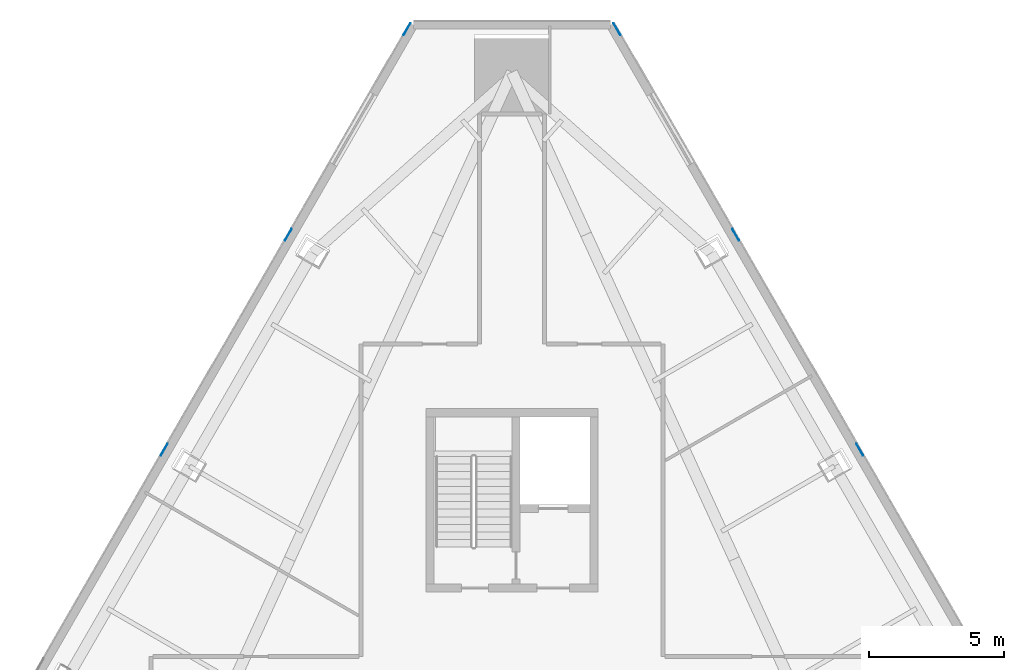
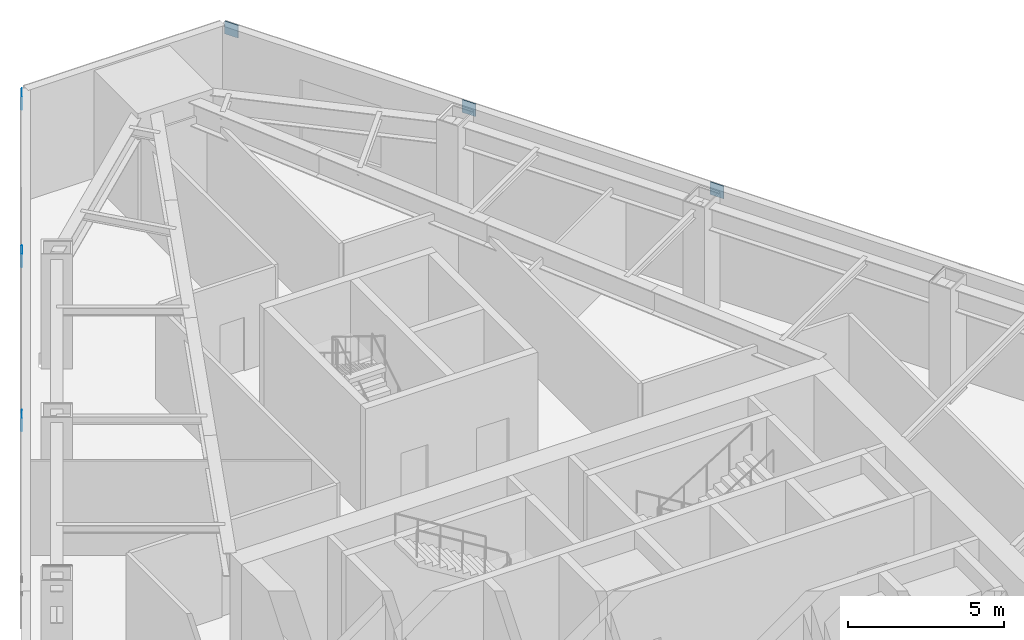
# One storey, part 12 of 14: 6 discrete accessories.
"""IFC4 building model written with IfcOpenShell, lengths in metres."""

import ifcopenshell
import ifcopenshell.guid

model = None  # the IFC model being written
_history = None  # IfcOwnerHistory: only IFC2X3 demands one
_inside = {}  # id of a spatial element -> (the spatial element, [elements in it])
_under = {}  # id of a project, library or spatial element -> (it, [spatial elements below it])
_declared = {}  # id of a project -> (the project, [libraries it declares])
_typed = {}  # id of a type object -> (the type object, [elements of that type])
_made_of = {}  # id of a material, layer set ... -> (it, [elements and type objects made of it])


def new_model(schema):
    """Start an empty IFC model of exactly this schema.

    Asked for "IFC4X3", IfcOpenShell would pick the latest addendum, in which some entities
    have other attributes; the version numbers below select the first issue.
    IFC2X3 requires an IfcOwnerHistory on every rooted entity: one is made here for all.
    """
    global model, _history
    if schema == "IFC4X3":
        model = ifcopenshell.file(schema_version=(4, 3, 0, 0))
    else:
        model = ifcopenshell.file(schema=schema)
    _inside.clear()
    _under.clear()
    _declared.clear()
    _typed.clear()
    _made_of.clear()
    _history = None
    if model.schema == "IFC2X3":
        org = make("IfcOrganization", Name="unknown")
        user = make(
            "IfcPersonAndOrganization",
            ThePerson=make("IfcPerson", FamilyName="unknown"),
            TheOrganization=org,
        )
        app = make(
            "IfcApplication",
            ApplicationDeveloper=org,
            Version="unknown",
            ApplicationFullName="unknown",
            ApplicationIdentifier="unknown",
        )
        _history = make(
            "IfcOwnerHistory",
            OwningUser=user,
            OwningApplication=app,
            ChangeAction="ADDED",
            CreationDate=0,
        )
    return model


def make(cls, **values):
    """One entity of the class cls with the attributes given. An attribute that is None is left unset."""
    return model.create_entity(
        cls, **{name: value for name, value in values.items() if value is not None}
    )


def rooted(cls, **values):
    """An entity with a GlobalId (a new one), such as an element, a storey or a relation."""
    return make(cls, GlobalId=ifcopenshell.guid.new(), OwnerHistory=_history, **values)


def si_unit(unit_type, name, prefix=None):
    """IfcSIUnit, for example si_unit("LENGTHUNIT", "METRE", prefix="MILLI")."""
    return make("IfcSIUnit", UnitType=unit_type, Prefix=prefix, Name=name)


def assignment(units):
    """IfcUnitAssignment: the units of a project."""
    return None if units is None else make("IfcUnitAssignment", Units=units)


def point(xyz):
    """IfcCartesianPoint."""
    return None if xyz is None else make("IfcCartesianPoint", Coordinates=xyz)


def direction(xyz):
    """IfcDirection."""
    return None if xyz is None else make("IfcDirection", DirectionRatios=xyz)


def frame(location, z_axis=None, x_axis=None):
    """IfcAxis2Placement3D, a coordinate frame: its origin and axes. An axis left out is left unset."""
    return make(
        "IfcAxis2Placement3D",
        Location=point(location),
        Axis=direction(z_axis),
        RefDirection=direction(x_axis),
    )


def frame_2d(location, x_axis=None):
    """IfcAxis2Placement2D, a coordinate frame in the plane: its origin and x axis."""
    return make(
        "IfcAxis2Placement2D", Location=point(location), RefDirection=direction(x_axis)
    )


def origin():
    """The frame at (0, 0, 0) with its axes left unset."""
    return frame((0.0, 0.0, 0.0))


def origin_2d():
    """The frame at (0, 0) in the plane with its x axis left unset."""
    return frame_2d((0.0, 0.0))


def place(relative_to, where):
    """IfcLocalPlacement: puts the frame where relative to a parent placement (None: the world)."""
    return make(
        "IfcLocalPlacement", PlacementRelTo=relative_to, RelativePlacement=where
    )


def context(
    kind, dimensions, precision=None, world=None, true_north=None, identifier=None
):
    """IfcGeometricRepresentationContext, for example the 3D "Model" context."""
    return make(
        "IfcGeometricRepresentationContext",
        ContextIdentifier=identifier,
        ContextType=kind,
        CoordinateSpaceDimension=dimensions,
        Precision=precision,
        WorldCoordinateSystem=world,
        TrueNorth=true_north,
    )


def subcontext(parent, identifier, kind, view, scale=None):
    """IfcGeometricRepresentationSubContext, for example "Body" below "Model"."""
    return make(
        "IfcGeometricRepresentationSubContext",
        ContextIdentifier=identifier,
        ContextType=kind,
        ParentContext=parent,
        TargetScale=scale,
        TargetView=view,
    )


def project(units=None, contexts=None):
    """IfcProject with its units and contexts."""
    return rooted(
        "IfcProject",
        Name="project",
        RepresentationContexts=contexts,
        UnitsInContext=assignment(units),
    )


def spatial(cls, under=None, at=None, **own):
    """A site, building, storey or space (cls), placed at a placement, below another one or the project."""
    s = rooted(cls, ObjectPlacement=at, **own)
    if under is not None:
        _under.setdefault(under.id(), (under, []))[1].append(s)
    return s


def profile(cls, at=None, kind="AREA", **sizes):
    """A parametric profile (cls). Its sizes go by their IFC names, for example OverallWidth=200.0."""
    return make(cls, ProfileType=kind, Position=at, **sizes)


def rectangle(**sizes):
    """IfcRectangleProfileDef."""
    return profile("IfcRectangleProfileDef", **sizes)


def extrude(swept, where, along, depth):
    """IfcExtrudedAreaSolid: the profile swept, set in the frame where, extruded along a direction by depth."""
    return make(
        "IfcExtrudedAreaSolid",
        SweptArea=swept,
        Position=where,
        ExtrudedDirection=direction(along),
        Depth=depth,
    )


def shape(context_of_items, identifier, shape_type, items):
    """IfcShapeRepresentation: the items that make up one representation, for example the "Body"."""
    return make(
        "IfcShapeRepresentation",
        ContextOfItems=context_of_items,
        RepresentationIdentifier=identifier,
        RepresentationType=shape_type,
        Items=items,
    )


def material(Name=None, Category=None):
    """IfcMaterial."""
    return make("IfcMaterial", Name=Name, Category=Category)


def layer(
    of_material, thickness, ventilated=None, Name=None, Category=None, Priority=None
):
    """IfcMaterialLayer: one layer of a wall or slab, of a material (None: an air gap)."""
    return make(
        "IfcMaterialLayer",
        Material=of_material,
        LayerThickness=thickness,
        IsVentilated=ventilated,
        Name=Name,
        Category=Category,
        Priority=Priority,
    )


def layer_set(layers, Name=None):
    """IfcMaterialLayerSet."""
    return make("IfcMaterialLayerSet", MaterialLayers=layers, LayerSetName=Name)


def made_of(thing, what):
    """Note that an element or type object is made of a material, layer set ...; save() writes the relation."""
    if what is not None:
        _made_of.setdefault(what.id(), (what, []))[1].append(thing)
    return thing


def type_object(cls, material=None, **own):
    """A type object (cls), such as IfcWallType, which elements share."""
    return made_of(rooted(cls, **own), material)


def element(
    cls,
    number,
    at=None,
    inside=None,
    cuts=None,
    type_object=None,
    material=None,
    context=None,
    identifier="Body",
    shape_type=None,
    held_by="IfcProductDefinitionShape",
    body=None,
    shapes=None,
    **own,
):
    """One element of the class cls, such as IfcWall. Its Tag is "e" and its number.

    at: its placement. inside: the storey or other place that contains it. cuts: it is an
    opening in that element (IfcRelVoidsElement). A single representation is given by context,
    identifier, shape_type and body (its items); several are given by shapes. held_by: the class
    of the entity that holds the representations. save() writes the other relations.
    """
    e = rooted(cls, Tag="e%d" % number, ObjectPlacement=at, **own)
    if body is not None:
        shapes = [shape(context, identifier, shape_type, body)]
    if shapes is not None:
        e.Representation = make(held_by, Representations=shapes)
    if inside is not None:
        _inside.setdefault(inside.id(), (inside, []))[1].append(e)
    if cuts is not None:
        rooted(
            "IfcRelVoidsElement", RelatingBuildingElement=cuts, RelatedOpeningElement=e
        )
    if type_object is not None:
        _typed.setdefault(type_object.id(), (type_object, []))[1].append(e)
    return made_of(e, material)


def aggregate(whole, parts):
    """IfcRelAggregates: a whole, such as a stair, and the parts it consists of."""
    return rooted("IfcRelAggregates", RelatingObject=whole, RelatedObjects=parts)


def save(model, path):
    """Write the relations noted so far, then the file.

    IfcRelAggregates (storeys below a building ...), IfcRelContainedInSpatialStructure (elements
    in a storey), IfcRelDefinesByType, IfcRelAssociatesMaterial and IfcRelDeclares: one each for
    every whole, place, type object, material and project.
    """
    for whole, parts in _under.values():
        aggregate(whole, parts)
    for where, things in _inside.values():
        rooted(
            "IfcRelContainedInSpatialStructure",
            RelatedElements=things,
            RelatingStructure=where,
        )
    for kind, things in _typed.values():
        rooted("IfcRelDefinesByType", RelatedObjects=things, RelatingType=kind)
    for what, things in _made_of.values():
        rooted("IfcRelAssociatesMaterial", RelatedObjects=things, RelatingMaterial=what)
    for by, libraries in _declared.values():
        rooted("IfcRelDeclares", RelatingContext=by, RelatedDefinitions=libraries)
    model.write(path)


model = new_model("IFC4")

# Units and contexts
model_context = context("Model", 3, precision=1e-05, world=origin(), true_north=direction((0.0, 1.0)))
body_context = subcontext(model_context, "Body", "Model", "MODEL_VIEW")
ifc_project = project(units=[si_unit("LENGTHUNIT", "METRE"), si_unit("AREAUNIT", "SQUARE_METRE"), si_unit("VOLUMEUNIT", "CUBIC_METRE"), si_unit("PLANEANGLEUNIT", "RADIAN"), si_unit("MASSUNIT", "GRAM", prefix="KILO")], contexts=[model_context])

# Site, building, storey
site_placement = place(None, origin())
site = spatial("IfcSite", under=ifc_project, at=site_placement, CompositionType="ELEMENT")
building_placement = place(site_placement, origin())
building = spatial("IfcBuilding", under=site, at=building_placement, Name="Firuza Gate Tower and Library", CompositionType="ELEMENT")
storey_placement = place(building_placement, frame((0.0, 0.0, 151.300048828125)))
storey = spatial("IfcBuildingStorey", under=building, at=storey_placement, Name="L34", CompositionType="ELEMENT", Elevation=151.300048828125)

# Discrete accessories
ifc_material = material(Name="Steel S355", Category="steel")
ifc_layer = layer(ifc_material, 0.02490234375)
ifc_layer_set = layer_set([ifc_layer], Name="Cast-in anchor plate 500x500x25 Steel S355")
discrete_accessory_type = type_object("IfcDiscreteAccessoryType", Name="Cast-in anchor plate 500x500x25 Steel S355", PredefinedType="BRACKET", material=ifc_layer_set)
for number, where, z_axis, x_axis, name in (
    (1, (87.90625, 93.08251953125, 3.800048828125), (0.0, 0.0, 1.0), (-0.5, 0.866025403784, 0.0), "Cast-in anchor plate"),
    (2, (83.302734375, 101.0556640625, 3.800048828125), (0.0, 0.0, 1.0), (-0.5, 0.866025403784, 0.0), "Cast-in anchor plate"),
    (3, (66.697265625, 101.0556640625, 3.800048828125), (0.0, 0.0, 1.0), (-0.5, -0.866025403784, 0.0), "Cast-in anchor plate"),
    (4, (62.09375, 93.08251953125, 3.800048828125), (0.0, 0.0, 1.0), (-0.5, -0.866025403784, 0.0), "Cast-in anchor plate"),
    (5, (78.89599609375, 108.6884765625, 3.800048828125), (0.0, 0.0, 1.0), (-0.5, 0.866025403784, 0.0), "Cast-in anchor plate"),
    (6, (71.10400390625, 108.6884765625, 3.800048828125), (0.0, 0.0, 1.0), (-0.5, -0.866025403784, 0.0), "Cast-in anchor plate"),
):
    element("IfcDiscreteAccessory", number, at=place(storey_placement, frame(where, z_axis=z_axis, x_axis=x_axis)), inside=storey, type_object=discrete_accessory_type, Name=name, PredefinedType="BRACKET", context=body_context, shape_type="SweptSolid", body=[
        extrude(rectangle(XDim=0.5, YDim=0.02490234375, at=origin_2d()), origin(), (0.0, 0.0, 1.0), 0.5),
    ])

save(model, "model.ifc")
